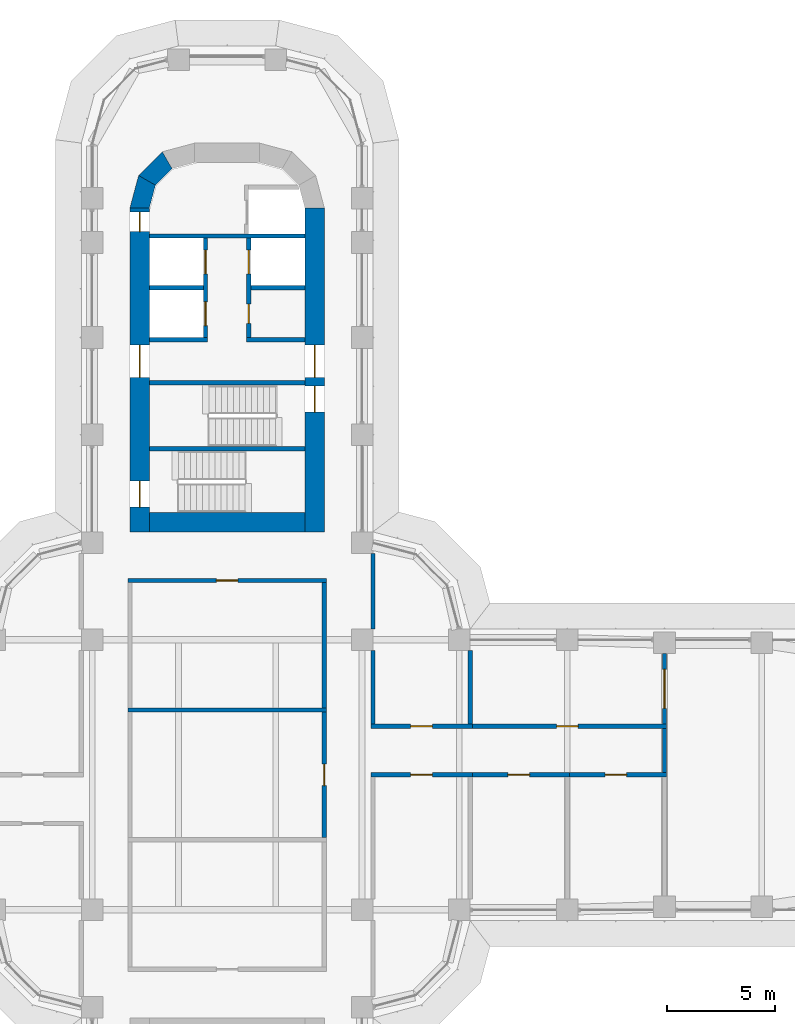
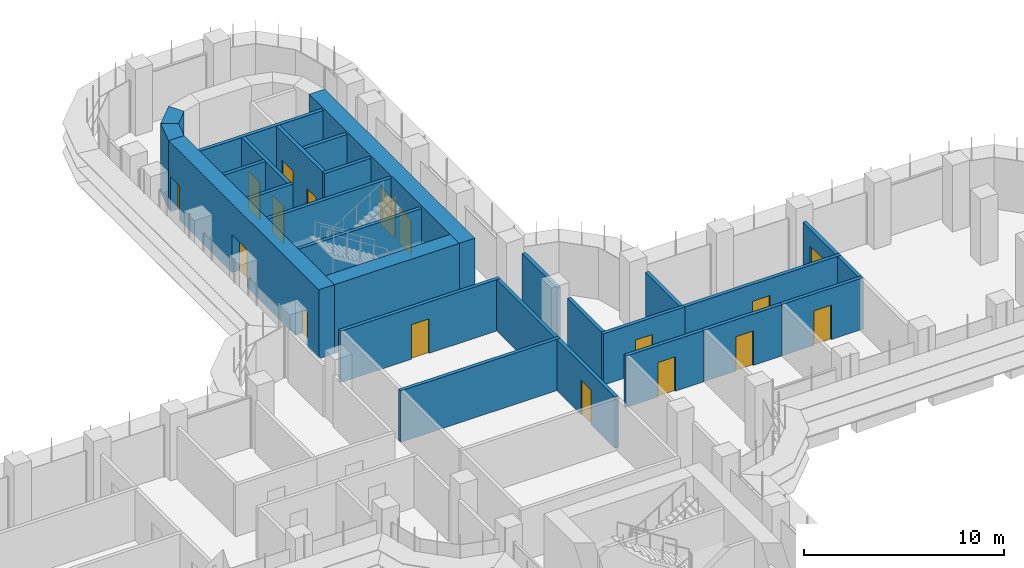
# One storey, part 18 of 23: 28 walls, 17 doors, 17 openings.
"""IFC4 building model written with IfcOpenShell, lengths in metres."""

from ifc_helpers import new_model, si_unit, direction, frame, frame_2d, origin, place, context, subcontext, project, spatial, polyline, rectangle, outline, extrude, material, layer, layer_set, type_object, element, fill, save


model = new_model("IFC4")

# Units and contexts
model_context = context("Model", 3, precision=1e-05, world=origin(), true_north=direction((0.0, 1.0)))
body_context = subcontext(model_context, "Body", "Model", "MODEL_VIEW")
ifc_project = project(units=[si_unit("LENGTHUNIT", "METRE"), si_unit("AREAUNIT", "SQUARE_METRE"), si_unit("VOLUMEUNIT", "CUBIC_METRE"), si_unit("PLANEANGLEUNIT", "RADIAN"), si_unit("MASSUNIT", "GRAM", prefix="KILO")], contexts=[model_context])

# Site, building, storey
site_placement = place(None, origin())
site = spatial("IfcSite", under=ifc_project, at=site_placement, CompositionType="ELEMENT")
building_placement = place(site_placement, origin())
building = spatial("IfcBuilding", under=site, at=building_placement, Name="Zarbagh Exchange Tower", CompositionType="ELEMENT")
storey_placement = place(building_placement, frame((0.0, 0.0, 31.199951171875)))
storey = spatial("IfcBuildingStorey", under=building, at=storey_placement, Name="L06", CompositionType="ELEMENT", Elevation=31.199951171875)

# Wall
ifc_material_1 = material(Name="Fire-rated plasterboard partition")
ifc_layer_1 = layer(ifc_material_1, 0.199951171875)
ifc_layer_set_1 = layer_set([ifc_layer_1], Name="RATED PARTITION 200")
wall_type_1 = type_object("IfcWallType", Name="RATED PARTITION 200", PredefinedType="PARTITIONING", material=ifc_layer_set_1)
wall_1_placement = place(storey_placement, frame((4.5, 3.10009765625, 0.0), z_axis=(0.0, 0.0, 1.0), x_axis=(0.0, 1.0, 0.0)))
element("IfcWall", 1, at=wall_1_placement, inside=storey, type_object=wall_type_1, Name="Partition W-208", PredefinedType="PARTITIONING", context=body_context, shape_type="SweptSolid", body=[
    extrude(rectangle(XDim=5.7998046875, YDim=0.199951171875, at=frame_2d((2.89990234375, 0.0))), origin(), (0.0, 0.0, 1.0), 3.130615234375),
])

# Wall, opening, door
wall_2_placement = place(storey_placement, frame((4.5, -2.89990234375, 0.0), z_axis=(0.0, 0.0, 1.0), x_axis=(0.0, 1.0, 0.0)))
wall_2 = element("IfcWall", 2, at=wall_2_placement, inside=storey, type_object=wall_type_1, Name="Partition W-209", PredefinedType="PARTITIONING", context=body_context, shape_type="SweptSolid", body=[
    extrude(rectangle(XDim=5.7998046875, YDim=0.199951171875, at=frame_2d((2.89990234375, 0.0))), origin(), (0.0, 0.0, 1.0), 3.130615234375),
])
opening_1_placement = place(wall_2_placement, frame((2.39990234375, 0.0, 0.0)))
opening_1 = element("IfcOpeningElement", 3, at=opening_1_placement, cuts=wall_2, Name="Opening D-201", PredefinedType="OPENING", context=body_context, shape_type="SweptSolid", body=[
    extrude(rectangle(XDim=1.0, YDim=2.10009765625, at=frame_2d((0.5, 1.050048828125))), frame((0.0, 0.10986328125, 0.0), z_axis=(0.0, -1.0, 0.0), x_axis=(1.0, 0.0, 0.0)), (0.0, 0.0, 1.0), 0.219970703125),
])
ifc_material_2 = material(Name="Steel door set", Category="steel")
door_type_1 = type_object("IfcDoorType", Name="FIRE DOOR 1000 X 2100 FD30S", OperationType="NOTDEFINED", PredefinedType="DOOR", material=ifc_material_2)
door_1_placement = place(opening_1_placement, origin())
door_1 = element("IfcDoor", 4, at=door_1_placement, inside=storey, type_object=door_type_1, Name="Door D-201", OperationType="SINGLE_SWING_RIGHT", OverallHeight=2.10009765625, OverallWidth=1.0, PredefinedType="DOOR", context=body_context, shape_type="SweptSolid", body=[
    extrude(rectangle(XDim=1.0, YDim=2.10009765625, at=frame_2d((0.5, 1.050048828125))), frame((0.0, 0.02490234375, 0.0), z_axis=(0.0, -1.0, 0.0), x_axis=(1.0, 0.0, 0.0)), (0.0, 0.0, 1.0), 0.050048828125),
])
fill(opening_1, door_1)

# Walls
wall_3_placement = place(storey_placement, frame((6.75, 2.35009765625, 0.0), z_axis=(0.0, 0.0, 1.0), x_axis=(0.0, 1.0, 0.0)))
element("IfcWall", 5, at=wall_3_placement, inside=storey, type_object=wall_type_1, Name="Partition W-211", PredefinedType="PARTITIONING", context=body_context, shape_type="SweptSolid", body=[
    extrude(rectangle(XDim=3.39990234375, YDim=0.199951171875, at=frame_2d((1.699951171875, 0.0))), origin(), (0.0, 0.0, 1.0), 3.130615234375),
])
wall_4_placement = place(storey_placement, frame((6.75, 6.75, 0.0), z_axis=(0.0, 0.0, 1.0), x_axis=(0.0, 1.0, 0.0)))
element("IfcWall", 6, at=wall_4_placement, inside=storey, type_object=wall_type_1, Name="Partition W-212", PredefinedType="PARTITIONING", context=body_context, shape_type="SweptSolid", body=[
    extrude(rectangle(XDim=3.5, YDim=0.199951171875, at=frame_2d((1.75, 0.0))), origin(), (0.0, 0.0, 1.0), 3.130615234375),
])

# Wall, opening, door
wall_5_placement = place(storey_placement, frame((4.60009765625, 9.0, 0.0), z_axis=(0.0, 0.0, 1.0), x_axis=(-1.0, 0.0, 0.0)))
wall_5 = element("IfcWall", 7, at=wall_5_placement, inside=storey, type_object=wall_type_1, Name="Partition W-215", PredefinedType="PARTITIONING", context=body_context, shape_type="SweptSolid", body=[
    extrude(rectangle(XDim=9.2001953125, YDim=0.199951171875, at=frame_2d((4.60009765625, 0.0))), origin(), (0.0, 0.0, 1.0), 3.130615234375),
])
opening_2_placement = place(wall_5_placement, frame((4.10009765625, 0.0, 0.0)))
opening_2 = element("IfcOpeningElement", 8, at=opening_2_placement, cuts=wall_5, Name="Opening D-202", PredefinedType="OPENING", context=body_context, shape_type="SweptSolid", body=[
    extrude(rectangle(XDim=1.0, YDim=2.10009765625, at=frame_2d((0.5, 1.050048828125))), frame((0.0, 0.10986328125, 0.0), z_axis=(0.0, -1.0, 0.0), x_axis=(1.0, 0.0, 0.0)), (0.0, 0.0, 1.0), 0.219970703125),
])
door_2_placement = place(opening_2_placement, origin())
door_2 = element("IfcDoor", 9, at=door_2_placement, inside=storey, type_object=door_type_1, Name="Door D-202", OperationType="SINGLE_SWING_RIGHT", OverallHeight=2.10009765625, OverallWidth=1.0, PredefinedType="DOOR", context=body_context, shape_type="SweptSolid", body=[
    extrude(rectangle(XDim=1.0, YDim=2.10009765625, at=frame_2d((0.5, 1.050048828125))), frame((0.0, 0.02490234375, 0.0), z_axis=(0.0, -1.0, 0.0), x_axis=(1.0, 0.0, 0.0)), (0.0, 0.0, 1.0), 0.050048828125),
])
fill(opening_2, door_2)

# Wall
wall_6_placement = place(storey_placement, frame((-4.60009765625, 3.0, 0.0), z_axis=(0.0, 0.0, 1.0), x_axis=(1.0, 0.0, 0.0)))
element("IfcWall", 10, at=wall_6_placement, inside=storey, type_object=wall_type_1, Name="Partition W-217", PredefinedType="PARTITIONING", context=body_context, shape_type="SweptSolid", body=[
    extrude(rectangle(XDim=9.2001953125, YDim=0.199951171875, at=frame_2d((4.60009765625, 0.0))), origin(), (0.0, 0.0, 1.0), 3.130615234375),
])

# Wall, opening, door
wall_7_placement = place(storey_placement, frame((6.64990234375, 2.25, 0.0), z_axis=(0.0, 0.0, 1.0), x_axis=(1.0, 0.0, 0.0)))
wall_7 = element("IfcWall", 11, at=wall_7_placement, inside=storey, type_object=wall_type_1, Name="Partition W-219", PredefinedType="PARTITIONING", context=body_context, shape_type="SweptSolid", body=[
    extrude(rectangle(XDim=4.7001953125, YDim=0.199951171875, at=frame_2d((2.35009765625, 0.0))), origin(), (0.0, 0.0, 1.0), 3.130615234375),
])
opening_3_placement = place(wall_7_placement, frame((1.85009765625, 0.0, 0.0)))
opening_3 = element("IfcOpeningElement", 12, at=opening_3_placement, cuts=wall_7, Name="Opening D-205", PredefinedType="OPENING", context=body_context, shape_type="SweptSolid", body=[
    extrude(rectangle(XDim=1.0, YDim=2.10009765625, at=frame_2d((0.5, 1.050048828125))), frame((0.0, 0.10986328125, 0.0), z_axis=(0.0, -1.0, 0.0), x_axis=(1.0, 0.0, 0.0)), (0.0, 0.0, 1.0), 0.219970703125),
])
door_3_placement = place(opening_3_placement, origin())
door_3 = element("IfcDoor", 13, at=door_3_placement, inside=storey, type_object=door_type_1, Name="Door D-205", OperationType="SINGLE_SWING_RIGHT", OverallHeight=2.10009765625, OverallWidth=1.0, PredefinedType="DOOR", context=body_context, shape_type="SweptSolid", body=[
    extrude(rectangle(XDim=1.0, YDim=2.10009765625, at=frame_2d((0.5, 1.050048828125))), frame((0.0, 0.02490234375, 0.0), z_axis=(0.0, -1.0, 0.0), x_axis=(1.0, 0.0, 0.0)), (0.0, 0.0, 1.0), 0.050048828125),
])
fill(opening_3, door_3)

wall_8_placement = place(storey_placement, frame((11.35009765625, 0.0, 0.0), z_axis=(0.0, 0.0, 1.0), x_axis=(-1.0, 0.0, 0.0)))
wall_8 = element("IfcWall", 14, at=wall_8_placement, inside=storey, type_object=wall_type_1, Name="Partition W-220", PredefinedType="PARTITIONING", context=body_context, shape_type="SweptSolid", body=[
    extrude(rectangle(XDim=4.7001953125, YDim=0.199951171875, at=frame_2d((2.35009765625, 0.0))), origin(), (0.0, 0.0, 1.0), 3.130615234375),
])
opening_4_placement = place(wall_8_placement, frame((1.85009765625, 0.0, 0.0)))
opening_4 = element("IfcOpeningElement", 15, at=opening_4_placement, cuts=wall_8, Name="Opening D-207", PredefinedType="OPENING", context=body_context, shape_type="SweptSolid", body=[
    extrude(rectangle(XDim=1.0, YDim=2.10009765625, at=frame_2d((0.5, 1.050048828125))), frame((0.0, 0.10986328125, 0.0), z_axis=(0.0, -1.0, 0.0), x_axis=(1.0, 0.0, 0.0)), (0.0, 0.0, 1.0), 0.219970703125),
])
door_4_placement = place(opening_4_placement, origin())
door_4 = element("IfcDoor", 16, at=door_4_placement, inside=storey, type_object=door_type_1, Name="Door D-207", OperationType="SINGLE_SWING_RIGHT", OverallHeight=2.10009765625, OverallWidth=1.0, PredefinedType="DOOR", context=body_context, shape_type="SweptSolid", body=[
    extrude(rectangle(XDim=1.0, YDim=2.10009765625, at=frame_2d((0.5, 1.050048828125))), frame((0.0, 0.02490234375, 0.0), z_axis=(0.0, -1.0, 0.0), x_axis=(1.0, 0.0, 0.0)), (0.0, 0.0, 1.0), 0.050048828125),
])
fill(opening_4, door_4)

wall_9_placement = place(storey_placement, frame((11.14990234375, 2.25, 0.0), z_axis=(0.0, 0.0, 1.0), x_axis=(1.0, 0.0, 0.0)))
wall_9 = element("IfcWall", 17, at=wall_9_placement, inside=storey, type_object=wall_type_1, Name="Partition W-221", PredefinedType="PARTITIONING", context=body_context, shape_type="SweptSolid", body=[
    extrude(rectangle(XDim=9.2001953125, YDim=0.199951171875, at=frame_2d((4.60009765625, 0.0))), origin(), (0.0, 0.0, 1.0), 3.130615234375),
])
opening_5_placement = place(wall_9_placement, frame((4.10009765625, 0.0, 0.0)))
opening_5 = element("IfcOpeningElement", 18, at=opening_5_placement, cuts=wall_9, Name="Opening D-206", PredefinedType="OPENING", context=body_context, shape_type="SweptSolid", body=[
    extrude(rectangle(XDim=1.0, YDim=2.10009765625, at=frame_2d((0.5, 1.050048828125))), frame((0.0, 0.10986328125, 0.0), z_axis=(0.0, -1.0, 0.0), x_axis=(1.0, 0.0, 0.0)), (0.0, 0.0, 1.0), 0.219970703125),
])
door_5_placement = place(opening_5_placement, origin())
door_5 = element("IfcDoor", 19, at=door_5_placement, inside=storey, type_object=door_type_1, Name="Door D-206", OperationType="SINGLE_SWING_LEFT", OverallHeight=2.10009765625, OverallWidth=1.0, PredefinedType="DOOR", context=body_context, shape_type="SweptSolid", body=[
    extrude(rectangle(XDim=1.0, YDim=2.10009765625, at=frame_2d((0.5, 1.050048828125))), frame((0.0, 0.02490234375, 0.0), z_axis=(0.0, -1.0, 0.0), x_axis=(1.0, 0.0, 0.0)), (0.0, 0.0, 1.0), 0.050048828125),
])
fill(opening_5, door_5)

wall_10_placement = place(storey_placement, frame((15.85009765625, 0.0, 0.0), z_axis=(0.0, 0.0, 1.0), x_axis=(-1.0, 0.0, 0.0)))
wall_10 = element("IfcWall", 20, at=wall_10_placement, inside=storey, type_object=wall_type_1, Name="Partition W-222", PredefinedType="PARTITIONING", context=body_context, shape_type="SweptSolid", body=[
    extrude(rectangle(XDim=4.7001953125, YDim=0.199951171875, at=frame_2d((2.35009765625, 0.0))), origin(), (0.0, 0.0, 1.0), 3.130615234375),
])
opening_6_placement = place(wall_10_placement, frame((1.85009765625, 0.0, 0.0)))
opening_6 = element("IfcOpeningElement", 21, at=opening_6_placement, cuts=wall_10, Name="Opening D-208", PredefinedType="OPENING", context=body_context, shape_type="SweptSolid", body=[
    extrude(rectangle(XDim=1.0, YDim=2.10009765625, at=frame_2d((0.5, 1.050048828125))), frame((0.0, 0.10986328125, 0.0), z_axis=(0.0, -1.0, 0.0), x_axis=(1.0, 0.0, 0.0)), (0.0, 0.0, 1.0), 0.219970703125),
])
door_6_placement = place(opening_6_placement, origin())
door_6 = element("IfcDoor", 22, at=door_6_placement, inside=storey, type_object=door_type_1, Name="Door D-208", OperationType="SINGLE_SWING_RIGHT", OverallHeight=2.10009765625, OverallWidth=1.0, PredefinedType="DOOR", context=body_context, shape_type="SweptSolid", body=[
    extrude(rectangle(XDim=1.0, YDim=2.10009765625, at=frame_2d((0.5, 1.050048828125))), frame((0.0, 0.02490234375, 0.0), z_axis=(0.0, -1.0, 0.0), x_axis=(1.0, 0.0, 0.0)), (0.0, 0.0, 1.0), 0.050048828125),
])
fill(opening_6, door_6)

wall_11_placement = place(storey_placement, frame((20.35009765625, 0.0, 0.0), z_axis=(0.0, 0.0, 1.0), x_axis=(-1.0, 0.0, 0.0)))
wall_11 = element("IfcWall", 23, at=wall_11_placement, inside=storey, type_object=wall_type_1, Name="Partition W-223", PredefinedType="PARTITIONING", context=body_context, shape_type="SweptSolid", body=[
    extrude(rectangle(XDim=4.7001953125, YDim=0.199951171875, at=frame_2d((2.35009765625, 0.0))), origin(), (0.0, 0.0, 1.0), 3.130615234375),
])
opening_7_placement = place(wall_11_placement, frame((1.85009765625, 0.0, 0.0)))
opening_7 = element("IfcOpeningElement", 24, at=opening_7_placement, cuts=wall_11, Name="Opening D-209", PredefinedType="OPENING", context=body_context, shape_type="SweptSolid", body=[
    extrude(rectangle(XDim=1.0, YDim=2.10009765625, at=frame_2d((0.5, 1.050048828125))), frame((0.0, 0.10986328125, 0.0), z_axis=(0.0, -1.0, 0.0), x_axis=(1.0, 0.0, 0.0)), (0.0, 0.0, 1.0), 0.219970703125),
])
door_7_placement = place(opening_7_placement, origin())
door_7 = element("IfcDoor", 25, at=door_7_placement, inside=storey, type_object=door_type_1, Name="Door D-209", OperationType="SINGLE_SWING_RIGHT", OverallHeight=2.10009765625, OverallWidth=1.0, PredefinedType="DOOR", context=body_context, shape_type="SweptSolid", body=[
    extrude(rectangle(XDim=1.0, YDim=2.10009765625, at=frame_2d((0.5, 1.050048828125))), frame((0.0, 0.02490234375, 0.0), z_axis=(0.0, -1.0, 0.0), x_axis=(1.0, 0.0, 0.0)), (0.0, 0.0, 1.0), 0.050048828125),
])
fill(opening_7, door_7)

# Walls
wall_12_placement = place(storey_placement, frame((20.25, 0.10009765625, 0.0), z_axis=(0.0, 0.0, 1.0), x_axis=(0.0, 1.0, 0.0)))
element("IfcWall", 26, at=wall_12_placement, inside=storey, type_object=wall_type_1, Name="Partition W-224", PredefinedType="PARTITIONING", context=body_context, shape_type="SweptSolid", body=[
    extrude(rectangle(XDim=2.0498046875, YDim=0.199951171875, at=frame_2d((1.02490234375, 0.0))), origin(), (0.0, 0.0, 1.0), 3.130615234375),
])
wall_13_placement = place(storey_placement, frame((11.25, 2.35009765625, 0.0), z_axis=(0.0, 0.0, 1.0), x_axis=(0.0, 1.0, 0.0)))
element("IfcWall", 27, at=wall_13_placement, inside=storey, type_object=wall_type_1, Name="Partition W-225", PredefinedType="PARTITIONING", context=body_context, shape_type="SweptSolid", body=[
    extrude(rectangle(XDim=3.39990234375, YDim=0.199951171875, at=frame_2d((1.699951171875, 0.0))), origin(), (0.0, 0.0, 1.0), 3.130615234375),
])

# Wall, opening, door
wall_14_placement = place(storey_placement, frame((20.25, 5.610107421875, 0.0), z_axis=(0.0, 0.0, 1.0), x_axis=(0.0, -1.0, 0.0)))
wall_14 = element("IfcWall", 28, at=wall_14_placement, inside=storey, type_object=wall_type_1, Name="Partition W-227", PredefinedType="PARTITIONING", context=body_context, shape_type="SweptSolid", body=[
    extrude(rectangle(XDim=3.260009765625, YDim=0.199951171875, at=frame_2d((1.6298828125, 0.0))), origin(), (0.0, 0.0, 1.0), 3.130615234375),
])
opening_8_placement = place(wall_14_placement, frame((0.72998046875, 0.0, 0.0)))
opening_8 = element("IfcOpeningElement", 29, at=opening_8_placement, cuts=wall_14, Name="Opening D-204", PredefinedType="OPENING", context=body_context, shape_type="SweptSolid", body=[
    extrude(rectangle(XDim=1.800048828125, YDim=2.10009765625, at=frame_2d((0.89990234375, 1.050048828125))), frame((0.0, 0.10986328125, 0.0), z_axis=(0.0, -1.0, 0.0), x_axis=(1.0, 0.0, 0.0)), (0.0, 0.0, 1.0), 0.219970703125),
])
door_type_2 = type_object("IfcDoorType", Name="FIRE DOUBLE DOOR 1800 X 2100 FD30S", OperationType="DOUBLE_DOOR_SINGLE_SWING", PredefinedType="DOOR", material=ifc_material_2)
door_8_placement = place(opening_8_placement, origin())
door_8 = element("IfcDoor", 30, at=door_8_placement, inside=storey, type_object=door_type_2, Name="Door D-204", OperationType="DOUBLE_DOOR_SINGLE_SWING", OverallHeight=2.10009765625, OverallWidth=1.800048828125, PredefinedType="DOOR", context=body_context, shape_type="SweptSolid", body=[
    extrude(rectangle(XDim=1.800048828125, YDim=2.10009765625, at=frame_2d((0.89990234375, 1.050048828125))), frame((0.0, 0.02490234375, 0.0), z_axis=(0.0, -1.0, 0.0), x_axis=(1.0, 0.0, 0.0)), (0.0, 0.0, 1.0), 0.050048828125),
])
fill(opening_8, door_8)

# Walls
ifc_material_3 = material(Name="Concrete C60/75", Category="concrete")
ifc_layer_2 = layer(ifc_material_3, 0.89990234375)
ifc_layer_set_2 = layer_set([ifc_layer_2], Name="RC core corner wall 900 C60/75")
wall_type_2 = type_object("IfcWallType", Name="RC core corner wall 900 C60/75", PredefinedType="SHEAR", material=ifc_layer_set_2)
wall_15_placement = place(storey_placement, origin())
element("IfcWall", 31, at=wall_15_placement, inside=storey, type_object=wall_type_2, Name="CW2 core N corner W", PredefinedType="SHEAR", context=body_context, shape_type="SweptSolid", body=[
    extrude(outline(polyline([(-4.5, 26.25), (-4.09814453125, 27.75), (-3.318603515625, 27.300048828125), (-3.60009765625, 26.25), (-4.5, 26.25)])), origin(), (0.0, 0.0, 1.0), 4.199951171875),
])
wall_16_placement = place(storey_placement, origin())
element("IfcWall", 32, at=wall_16_placement, inside=storey, type_object=wall_type_2, Name="CW2 core N corner W", PredefinedType="SHEAR", context=body_context, shape_type="SweptSolid", body=[
    extrude(outline(polyline([(-4.09814453125, 27.75), (-3.0, 28.84814453125), (-2.550048828125, 28.068603515625), (-3.318603515625, 27.300048828125), (-4.09814453125, 27.75)])), origin(), (0.0, 0.0, 1.0), 4.199951171875),
])

# Wall, openings, doors
ifc_layer_3 = layer(ifc_material_3, 0.89990234375)
ifc_layer_set_3 = layer_set([ifc_layer_3], Name="RC core wall 900 C60/75")
wall_type_3 = type_object("IfcWallType", Name="RC core wall 900 C60/75", PredefinedType="SHEAR", material=ifc_layer_set_3)
wall_17_placement = place(storey_placement, frame((-4.050048828125, 11.25, 0.0), z_axis=(0.0, 0.0, 1.0), x_axis=(0.0, 1.0, 0.0)))
wall_17 = element("IfcWall", 33, at=wall_17_placement, inside=storey, type_object=wall_type_3, Name="CW1 core N W", PredefinedType="SHEAR", context=body_context, shape_type="SweptSolid", body=[
    extrude(rectangle(XDim=15.0, YDim=0.89990234375, at=frame_2d((7.5, 0.0))), origin(), (0.0, 0.0, 1.0), 4.199951171875),
])
opening_9_placement = place(wall_17_placement, frame((7.14990234375, 0.0, 0.0)))
opening_9 = element("IfcOpeningElement", 34, at=opening_9_placement, cuts=wall_17, Name="Opening CD1-1500", PredefinedType="OPENING", context=body_context, shape_type="SweptSolid", body=[
    extrude(rectangle(XDim=1.5, YDim=2.300048828125, at=frame_2d((0.75, 1.14990234375))), frame((0.0, 0.4599609375, 0.0), z_axis=(0.0, -1.0, 0.0), x_axis=(1.0, 0.0, 0.0)), (0.0, 0.0, 1.0), 0.919921875),
])
opening_10_placement = place(wall_17_placement, frame((13.89990234375, 0.0, 0.0)))
opening_10 = element("IfcOpeningElement", 35, at=opening_10_placement, cuts=wall_17, Name="Opening CD2-900", PredefinedType="OPENING", context=body_context, shape_type="SweptSolid", body=[
    extrude(rectangle(XDim=0.89990234375, YDim=2.10009765625, at=frame_2d((0.449951171875, 1.050048828125))), frame((0.0, 0.4599609375, 0.0), z_axis=(0.0, -1.0, 0.0), x_axis=(1.0, 0.0, 0.0)), (0.0, 0.0, 1.0), 0.919921875),
])
opening_11_placement = place(wall_17_placement, frame((1.14990234375, 0.0, 0.0)))
opening_11 = element("IfcOpeningElement", 36, at=opening_11_placement, cuts=wall_17, Name="Opening SD1-1200", PredefinedType="OPENING", context=body_context, shape_type="SweptSolid", body=[
    extrude(rectangle(XDim=1.199951171875, YDim=2.10009765625, at=frame_2d((0.60009765625, 1.050048828125))), frame((0.0, 0.4599609375, 0.0), z_axis=(0.0, -1.0, 0.0), x_axis=(1.0, 0.0, 0.0)), (0.0, 0.0, 1.0), 0.919921875),
])
ifc_material_4 = material(Name="Steel", Category="steel")
door_type_3 = type_object("IfcDoorType", Name="Exit stair door 1200 x 2100", OperationType="NOTDEFINED", PredefinedType="DOOR", material=ifc_material_4)
door_9_placement = place(opening_11_placement, origin())
door_9 = element("IfcDoor", 37, at=door_9_placement, inside=storey, type_object=door_type_3, Name="North core stair door ST2", OperationType="SINGLE_SWING_RIGHT", OverallHeight=2.10009765625, OverallWidth=1.199951171875, PredefinedType="DOOR", context=body_context, shape_type="SweptSolid", body=[
    extrude(rectangle(XDim=1.199951171875, YDim=2.10009765625, at=frame_2d((0.60009765625, 1.050048828125))), frame((0.0, 0.02490234375, 0.0), z_axis=(0.0, -1.0, 0.0), x_axis=(1.0, 0.0, 0.0)), (0.0, 0.0, 1.0), 0.050048828125),
])
fill(opening_11, door_9)
door_type_4 = type_object("IfcDoorType", Name="Firefighting lobby door 900 x 2100", OperationType="NOTDEFINED", PredefinedType="DOOR", material=ifc_material_4)
door_10_placement = place(opening_10_placement, origin())
door_10 = element("IfcDoor", 38, at=door_10_placement, inside=storey, type_object=door_type_4, Name="North core firefighting lobby door FF-W", OperationType="SINGLE_SWING_LEFT", OverallHeight=2.10009765625, OverallWidth=0.89990234375, PredefinedType="DOOR", context=body_context, shape_type="SweptSolid", body=[
    extrude(rectangle(XDim=0.89990234375, YDim=2.10009765625, at=frame_2d((0.449951171875, 1.050048828125))), frame((0.0, 0.02490234375, 0.0), z_axis=(0.0, -1.0, 0.0), x_axis=(1.0, 0.0, 0.0)), (0.0, 0.0, 1.0), 0.050048828125),
])
fill(opening_10, door_10)
door_type_5 = type_object("IfcDoorType", Name="Lift lobby double door 1500 x 2300", OperationType="NOTDEFINED", PredefinedType="DOOR", material=ifc_material_4)
door_11_placement = place(opening_9_placement, origin())
door_11 = element("IfcDoor", 39, at=door_11_placement, inside=storey, type_object=door_type_5, Name="North core lift lobby door LOBBY-W", OperationType="DOUBLE_DOOR_SINGLE_SWING", OverallHeight=2.300048828125, OverallWidth=1.5, PredefinedType="DOOR", context=body_context, shape_type="SweptSolid", body=[
    extrude(rectangle(XDim=1.5, YDim=2.300048828125, at=frame_2d((0.75, 1.14990234375))), frame((0.0, 0.02490234375, 0.0), z_axis=(0.0, -1.0, 0.0), x_axis=(1.0, 0.0, 0.0)), (0.0, 0.0, 1.0), 0.050048828125),
])
fill(opening_9, door_11)

wall_18_placement = place(storey_placement, frame((4.050048828125, 11.25, 0.0), z_axis=(0.0, 0.0, 1.0), x_axis=(0.0, 1.0, 0.0)))
wall_18 = element("IfcWall", 40, at=wall_18_placement, inside=storey, type_object=wall_type_3, Name="CW1 core N E", PredefinedType="SHEAR", context=body_context, shape_type="SweptSolid", body=[
    extrude(rectangle(XDim=15.0, YDim=0.89990234375, at=frame_2d((7.5, 0.0))), origin(), (0.0, 0.0, 1.0), 4.199951171875),
])
opening_12_placement = place(wall_18_placement, frame((7.14990234375, 0.0, 0.0)))
opening_12 = element("IfcOpeningElement", 41, at=opening_12_placement, cuts=wall_18, Name="Opening CD1-1500", PredefinedType="OPENING", context=body_context, shape_type="SweptSolid", body=[
    extrude(rectangle(XDim=1.5, YDim=2.300048828125, at=frame_2d((0.75, 1.14990234375))), frame((0.0, 0.4599609375, 0.0), z_axis=(0.0, -1.0, 0.0), x_axis=(1.0, 0.0, 0.0)), (0.0, 0.0, 1.0), 0.919921875),
])
opening_13_placement = place(wall_18_placement, frame((5.550048828125, 0.0, 0.0)))
opening_13 = element("IfcOpeningElement", 42, at=opening_13_placement, cuts=wall_18, Name="Opening SD1-1200", PredefinedType="OPENING", context=body_context, shape_type="SweptSolid", body=[
    extrude(rectangle(XDim=1.199951171875, YDim=2.10009765625, at=frame_2d((0.60009765625, 1.050048828125))), frame((0.0, 0.4599609375, 0.0), z_axis=(0.0, -1.0, 0.0), x_axis=(1.0, 0.0, 0.0)), (0.0, 0.0, 1.0), 0.919921875),
])
door_12_placement = place(opening_13_placement, origin())
door_12 = element("IfcDoor", 43, at=door_12_placement, inside=storey, type_object=door_type_3, Name="North core stair door ST1", OperationType="SINGLE_SWING_RIGHT", OverallHeight=2.10009765625, OverallWidth=1.199951171875, PredefinedType="DOOR", context=body_context, shape_type="SweptSolid", body=[
    extrude(rectangle(XDim=1.199951171875, YDim=2.10009765625, at=frame_2d((0.60009765625, 1.050048828125))), frame((0.0, 0.02490234375, 0.0), z_axis=(0.0, -1.0, 0.0), x_axis=(1.0, 0.0, 0.0)), (0.0, 0.0, 1.0), 0.050048828125),
])
fill(opening_13, door_12)
door_13_placement = place(opening_12_placement, origin())
door_13 = element("IfcDoor", 44, at=door_13_placement, inside=storey, type_object=door_type_5, Name="North core lift lobby door LOBBY-E", OperationType="DOUBLE_DOOR_SINGLE_SWING", OverallHeight=2.300048828125, OverallWidth=1.5, PredefinedType="DOOR", context=body_context, shape_type="SweptSolid", body=[
    extrude(rectangle(XDim=1.5, YDim=2.300048828125, at=frame_2d((0.75, 1.14990234375))), frame((0.0, 0.02490234375, 0.0), z_axis=(0.0, -1.0, 0.0), x_axis=(1.0, 0.0, 0.0)), (0.0, 0.0, 1.0), 0.050048828125),
])
fill(opening_12, door_13)

# Walls
wall_19_placement = place(storey_placement, frame((-3.60009765625, 11.699951171875, 0.0), z_axis=(0.0, 0.0, 1.0), x_axis=(1.0, 0.0, 0.0)))
element("IfcWall", 45, at=wall_19_placement, inside=storey, type_object=wall_type_3, Name="CW1 core N inner end", PredefinedType="SHEAR", context=body_context, shape_type="SweptSolid", body=[
    extrude(rectangle(XDim=7.2001953125, YDim=0.89990234375, at=frame_2d((3.60009765625, 0.0))), origin(), (0.0, 0.0, 1.0), 4.199951171875),
])
ifc_material_5 = material(Name="Dense blockwork", Category="masonry")
ifc_layer_4 = layer(ifc_material_5, 0.199951171875)
ifc_layer_set_4 = layer_set([ifc_layer_4], Name="Shaft wall 200 mm blockwork")
wall_type_4 = type_object("IfcWallType", Name="Shaft wall 200 mm blockwork", PredefinedType="PARTITIONING", material=ifc_layer_set_4)
wall_20_placement = place(storey_placement, frame((-3.60009765625, 20.14990234375, 0.0), z_axis=(0.0, 0.0, 1.0), x_axis=(1.0, 0.0, 0.0)))
element("IfcWall", 46, at=wall_20_placement, inside=storey, type_object=wall_type_4, Name="North core shaft wall AB-W", PredefinedType="PARTITIONING", context=body_context, shape_type="SweptSolid", body=[
    extrude(rectangle(XDim=2.7001953125, YDim=0.199951171875, at=frame_2d((1.35009765625, 0.0))), origin(), (0.0, 0.0, 1.0), 4.050048828125),
])

# Wall, openings, doors
wall_21_placement = place(storey_placement, frame((-1.0, 24.85009765625, 0.0), z_axis=(0.0, 0.0, 1.0), x_axis=(0.0, -1.0, 0.0)))
wall_21 = element("IfcWall", 47, at=wall_21_placement, inside=storey, type_object=wall_type_4, Name="North core shaft wall LW-W", PredefinedType="PARTITIONING", context=body_context, shape_type="SweptSolid", body=[
    extrude(rectangle(XDim=4.60009765625, YDim=0.199951171875, at=frame_2d((2.300048828125, 0.0))), origin(), (0.0, 0.0, 1.0), 4.050048828125),
])
opening_14_placement = place(wall_21_placement, frame((0.550048828125, 0.0, 0.0)))
opening_14 = element("IfcOpeningElement", 48, at=opening_14_placement, cuts=wall_21, Name="Opening LD-1100", PredefinedType="OPENING", context=body_context, shape_type="SweptSolid", body=[
    extrude(rectangle(XDim=1.10009765625, YDim=2.300048828125, at=frame_2d((0.550048828125, 1.14990234375))), frame((0.0, 0.10986328125, 0.0), z_axis=(0.0, -1.0, 0.0), x_axis=(1.0, 0.0, 0.0)), (0.0, 0.0, 1.0), 0.219970703125),
])
opening_15_placement = place(wall_21_placement, frame((2.949951171875, 0.0, 0.0)))
opening_15 = element("IfcOpeningElement", 49, at=opening_15_placement, cuts=wall_21, Name="Opening LD-1100", PredefinedType="OPENING", context=body_context, shape_type="SweptSolid", body=[
    extrude(rectangle(XDim=1.10009765625, YDim=2.300048828125, at=frame_2d((0.550048828125, 1.14990234375))), frame((0.0, 0.10986328125, 0.0), z_axis=(0.0, -1.0, 0.0), x_axis=(1.0, 0.0, 0.0)), (0.0, 0.0, 1.0), 0.219970703125),
])
ifc_material_6 = material(Name="Stainless steel", Category="steel")
door_type_6 = type_object("IfcDoorType", Name="Lift landing door 1100 x 2300", OperationType="NOTDEFINED", PredefinedType="DOOR", material=ifc_material_6)
door_14_placement = place(opening_14_placement, origin())
door_14 = element("IfcDoor", 50, at=door_14_placement, inside=storey, type_object=door_type_6, Name="North core lift landing door LD-P-N1", OperationType="DOUBLE_DOOR_SLIDING", OverallHeight=2.300048828125, OverallWidth=1.10009765625, PredefinedType="DOOR", context=body_context, shape_type="SweptSolid", body=[
    extrude(rectangle(XDim=1.10009765625, YDim=2.300048828125, at=frame_2d((0.550048828125, 1.14990234375))), frame((0.0, 0.02490234375, 0.0), z_axis=(0.0, -1.0, 0.0), x_axis=(1.0, 0.0, 0.0)), (0.0, 0.0, 1.0), 0.050048828125),
])
fill(opening_14, door_14)
door_15_placement = place(opening_15_placement, origin())
door_15 = element("IfcDoor", 51, at=door_15_placement, inside=storey, type_object=door_type_6, Name="North core lift landing door LD-P-N2", OperationType="DOUBLE_DOOR_SLIDING", OverallHeight=2.300048828125, OverallWidth=1.10009765625, PredefinedType="DOOR", context=body_context, shape_type="SweptSolid", body=[
    extrude(rectangle(XDim=1.10009765625, YDim=2.300048828125, at=frame_2d((0.550048828125, 1.14990234375))), frame((0.0, 0.02490234375, 0.0), z_axis=(0.0, -1.0, 0.0), x_axis=(1.0, 0.0, 0.0)), (0.0, 0.0, 1.0), 0.050048828125),
])
fill(opening_15, door_15)

# Wall
wall_22_placement = place(storey_placement, frame((0.89990234375, 20.14990234375, 0.0), z_axis=(0.0, 0.0, 1.0), x_axis=(1.0, 0.0, 0.0)))
element("IfcWall", 52, at=wall_22_placement, inside=storey, type_object=wall_type_4, Name="North core shaft wall AB-E", PredefinedType="PARTITIONING", context=body_context, shape_type="SweptSolid", body=[
    extrude(rectangle(XDim=2.7001953125, YDim=0.199951171875, at=frame_2d((1.35009765625, 0.0))), origin(), (0.0, 0.0, 1.0), 4.050048828125),
])

# Wall, openings, doors
wall_23_placement = place(storey_placement, frame((1.0, 24.85009765625, 0.0), z_axis=(0.0, 0.0, 1.0), x_axis=(0.0, -1.0, 0.0)))
wall_23 = element("IfcWall", 53, at=wall_23_placement, inside=storey, type_object=wall_type_4, Name="North core shaft wall LW-E", PredefinedType="PARTITIONING", context=body_context, shape_type="SweptSolid", body=[
    extrude(rectangle(XDim=4.60009765625, YDim=0.199951171875, at=frame_2d((2.300048828125, 0.0))), origin(), (0.0, 0.0, 1.0), 4.050048828125),
])
opening_16_placement = place(wall_23_placement, frame((0.550048828125, 0.0, 0.0)))
opening_16 = element("IfcOpeningElement", 54, at=opening_16_placement, cuts=wall_23, Name="Opening LD-1100", PredefinedType="OPENING", context=body_context, shape_type="SweptSolid", body=[
    extrude(rectangle(XDim=1.10009765625, YDim=2.300048828125, at=frame_2d((0.550048828125, 1.14990234375))), frame((0.0, 0.10986328125, 0.0), z_axis=(0.0, -1.0, 0.0), x_axis=(1.0, 0.0, 0.0)), (0.0, 0.0, 1.0), 0.219970703125),
])
opening_17_placement = place(wall_23_placement, frame((3.050048828125, 0.0, 0.0)))
opening_17 = element("IfcOpeningElement", 55, at=opening_17_placement, cuts=wall_23, Name="Opening CD3-900", PredefinedType="OPENING", context=body_context, shape_type="SweptSolid", body=[
    extrude(rectangle(XDim=0.89990234375, YDim=2.10009765625, at=frame_2d((0.449951171875, 1.050048828125))), frame((0.0, 0.10986328125, 0.0), z_axis=(0.0, -1.0, 0.0), x_axis=(1.0, 0.0, 0.0)), (0.0, 0.0, 1.0), 0.219970703125),
])
door_type_7 = type_object("IfcDoorType", Name="Core room door 900 x 2100", OperationType="NOTDEFINED", PredefinedType="DOOR", material=ifc_material_4)
door_16_placement = place(opening_17_placement, origin())
door_16 = element("IfcDoor", 56, at=door_16_placement, inside=storey, type_object=door_type_7, Name="North core Accessible WC door RD-E-0", OperationType="SINGLE_SWING_RIGHT", OverallHeight=2.10009765625, OverallWidth=0.89990234375, PredefinedType="DOOR", context=body_context, shape_type="SweptSolid", body=[
    extrude(rectangle(XDim=0.89990234375, YDim=2.10009765625, at=frame_2d((0.449951171875, 1.050048828125))), frame((0.0, 0.02490234375, 0.0), z_axis=(0.0, -1.0, 0.0), x_axis=(1.0, 0.0, 0.0)), (0.0, 0.0, 1.0), 0.050048828125),
])
fill(opening_17, door_16)
door_17_placement = place(opening_16_placement, origin())
door_17 = element("IfcDoor", 57, at=door_17_placement, inside=storey, type_object=door_type_6, Name="North core lift landing door LD-P-N3", OperationType="DOUBLE_DOOR_SLIDING", OverallHeight=2.300048828125, OverallWidth=1.10009765625, PredefinedType="DOOR", context=body_context, shape_type="SweptSolid", body=[
    extrude(rectangle(XDim=1.10009765625, YDim=2.300048828125, at=frame_2d((0.550048828125, 1.14990234375))), frame((0.0, 0.02490234375, 0.0), z_axis=(0.0, -1.0, 0.0), x_axis=(1.0, 0.0, 0.0)), (0.0, 0.0, 1.0), 0.050048828125),
])
fill(opening_16, door_17)

# Walls
for number, where, z_axis, x_axis, name in (
    (58, (-3.60009765625, 22.550048828125, 0.0), (0.0, 0.0, 1.0), (1.0, 0.0, 0.0), "North core shaft wall TR-W"),
    (59, (1.10009765625, 22.550048828125, 0.0), (0.0, 0.0, 1.0), (1.0, 0.0, 0.0), "North core shaft wall TR-E"),
):
    element("IfcWall", number, at=place(storey_placement, frame(where, z_axis=z_axis, x_axis=x_axis)), inside=storey, type_object=wall_type_4, Name=name, PredefinedType="PARTITIONING", context=body_context, shape_type="SweptSolid", body=[
        extrude(rectangle(XDim=2.5, YDim=0.199951171875, at=frame_2d((1.25, 0.0))), origin(), (0.0, 0.0, 1.0), 4.050048828125),
    ])
ifc_material_7 = material(Name="Concrete C40/50", Category="concrete")
ifc_layer_5 = layer(ifc_material_7, 0.199951171875)
ifc_layer_set_5 = layer_set([ifc_layer_5], Name="Stair enclosure wall 200 mm RC C40/50")
wall_type_5 = type_object("IfcWallType", Name="Stair enclosure wall 200 mm RC C40/50", PredefinedType="SHEAR", material=ifc_layer_set_5)
for number, where, z_axis, x_axis, name in (
    (60, (-3.60009765625, 24.949951171875, 0.0), (0.0, 0.0, 1.0), (1.0, 0.0, 0.0), "North core lift shaft wall FFA"),
    (61, (-3.60009765625, 18.14990234375, 0.0), (0.0, 0.0, 1.0), (1.0, 0.0, 0.0), "North core stair wall BS"),
    (62, (-3.60009765625, 15.10009765625, 0.0), (0.0, 0.0, 1.0), (1.0, 0.0, 0.0), "North core stair wall ST12"),
):
    element("IfcWall", number, at=place(storey_placement, frame(where, z_axis=z_axis, x_axis=x_axis)), inside=storey, type_object=wall_type_5, Name=name, PredefinedType="SHEAR", context=body_context, shape_type="SweptSolid", body=[
        extrude(rectangle(XDim=7.2001953125, YDim=0.199951171875, at=frame_2d((3.60009765625, 0.0))), origin(), (0.0, 0.0, 1.0), 4.050048828125),
    ])

save(model, "model.ifc")
